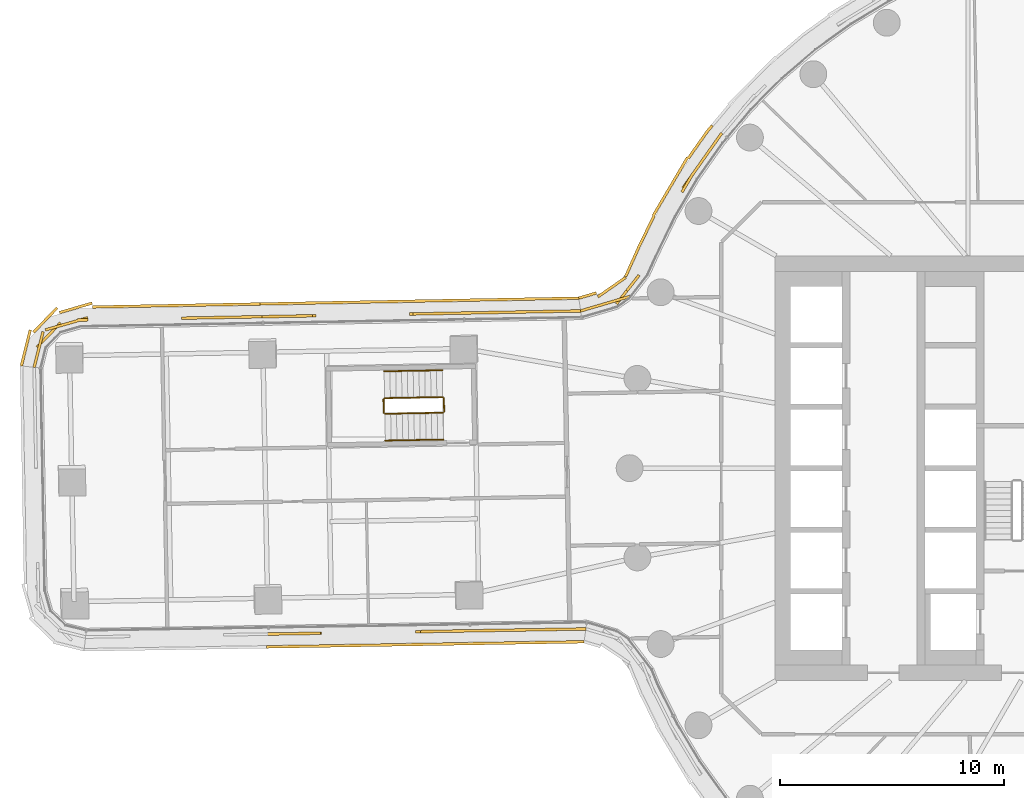
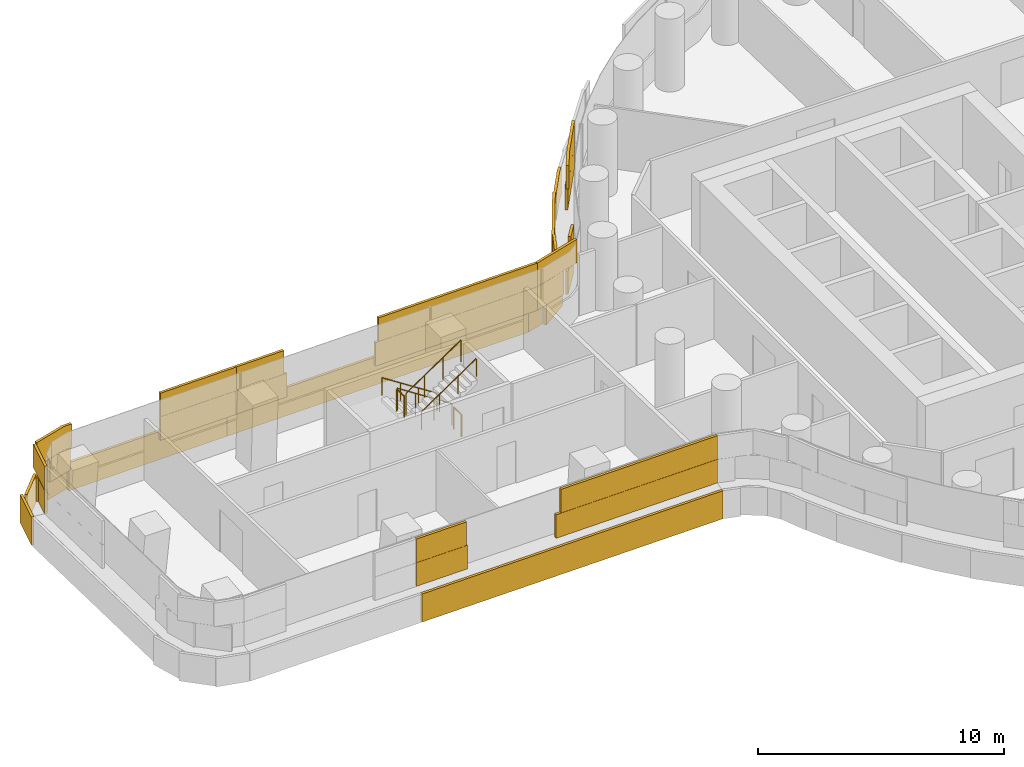
# One storey, part 27 of 31: 6 railings, 4 coverings.
"""IFC4 building model written with IfcOpenShell, lengths in metres."""

from ifc_helpers import new_model, si_unit, direction, frame, origin, origin_2d, place, context, subcontext, project, spatial, rectangle, circle, extrude, material, layer, layer_set, type_object, element, save


model = new_model("IFC4")

# Units and contexts
model_context = context("Model", 3, precision=1e-05, world=origin(), true_north=direction((0.0, 1.0)))
body_context = subcontext(model_context, "Body", "Model", "MODEL_VIEW")
ifc_project = project(units=[si_unit("LENGTHUNIT", "METRE"), si_unit("AREAUNIT", "SQUARE_METRE"), si_unit("VOLUMEUNIT", "CUBIC_METRE"), si_unit("PLANEANGLEUNIT", "RADIAN"), si_unit("MASSUNIT", "GRAM", prefix="KILO")], contexts=[model_context])

# Site, building, storey
site_placement = place(None, origin())
site = spatial("IfcSite", under=ifc_project, at=site_placement, CompositionType="ELEMENT")
building_placement = place(site_placement, origin())
building = spatial("IfcBuilding", under=site, at=building_placement, Name="Tamarind Cross Interchange Tower", CompositionType="ELEMENT")
storey_placement = place(building_placement, frame((0.0, 0.0, 37.75)))
storey = spatial("IfcBuildingStorey", under=building, at=storey_placement, Name="L07", CompositionType="ELEMENT", Elevation=37.75)

# Railings
ifc_material_1 = material(Name="Stair guard")
railing_type_1 = type_object("IfcRailingType", Name="Stair guard", PredefinedType="GUARDRAIL", material=ifc_material_1)
railing_1_placement = place(storey_placement, frame((-31.359619140625, 3.179931640625, 0.17041015625)))
element("IfcRailing", 1, at=railing_1_placement, inside=storey, type_object=railing_type_1, Name="L07 ST5 stair guard 1", PredefinedType="GUARDRAIL", context=body_context, shape_type="SweptSolid", body=[
    extrude(circle(Radius=0.02392578125, at=origin_2d()), frame((0.0, 0.0, 1.076171875), z_axis=(-0.836134321691, -0.015235283029, 0.548313124265), x_axis=(0.01821807112, -0.999834037171, 0.0)), (0.0, 0.0, 1.0), 3.10888671875),
    extrude(circle(Radius=0.02099609375, at=origin_2d()), origin(), (0.0, 0.0, 1.0), 1.052001953125),
    extrude(circle(Radius=0.02099609375, at=origin_2d()), frame((-0.866455078125, -0.015869140625, 0.568115234375)), (0.0, 0.0, 1.0), 1.052001953125),
    extrude(circle(Radius=0.02099609375, at=origin_2d()), frame((-1.73291015625, -0.031494140625, 1.136474609375)), (0.0, 0.0, 1.0), 1.052001953125),
    extrude(circle(Radius=0.02099609375, at=origin_2d()), frame((-2.599365234375, -0.04736328125, 1.70458984375)), (0.0, 0.0, 1.0), 1.052001953125),
])
railing_2_placement = place(storey_placement, frame((-34.00830078125, 3.08154296875, 1.875)))
element("IfcRailing", 2, at=railing_2_placement, inside=storey, type_object=railing_type_1, Name="L07 ST5 stair guard 2", PredefinedType="GUARDRAIL", context=body_context, shape_type="SweptSolid", body=[
    extrude(circle(Radius=0.02392578125, at=origin_2d()), frame((0.0, 0.0, 1.076171875), z_axis=(0.018311947294, -0.999832322235, 0.0), x_axis=(0.999832322235, 0.018311947294, 0.0)), (0.0, 0.0, 1.0), 0.599853515625),
    extrude(circle(Radius=0.02099609375, at=origin_2d()), origin(), (0.0, 0.0, 1.0), 1.052001953125),
    extrude(circle(Radius=0.02099609375, at=origin_2d()), frame((0.010986328125, -0.599853515625, 0.0)), (0.0, 0.0, 1.0), 1.052001953125),
])
railing_3_placement = place(storey_placement, frame((-33.9462890625, 2.4326171875, 2.04541015625)))
element("IfcRailing", 3, at=railing_3_placement, inside=storey, type_object=railing_type_1, Name="L07 ST5 stair guard 3", PredefinedType="GUARDRAIL", context=body_context, shape_type="SweptSolid", body=[
    extrude(circle(Radius=0.02392578125, at=origin_2d()), frame((0.0, 0.0, 1.076171875), z_axis=(0.836157948141, 0.015234282677, 0.548277121893), x_axis=(-0.018216360749, 0.999834068334, 0.0)), (0.0, 0.0, 1.0), 3.10888671875),
    extrude(circle(Radius=0.02099609375, at=origin_2d()), origin(), (0.0, 0.0, 1.0), 1.052001953125),
    extrude(circle(Radius=0.02099609375, at=origin_2d()), frame((0.866455078125, 0.015869140625, 0.568115234375)), (0.0, 0.0, 1.0), 1.052001953125),
    extrude(circle(Radius=0.02099609375, at=origin_2d()), frame((1.733154296875, 0.031494140625, 1.136474609375)), (0.0, 0.0, 1.0), 1.052001953125),
    extrude(circle(Radius=0.02099609375, at=origin_2d()), frame((2.599609375, 0.04736328125, 1.70458984375)), (0.0, 0.0, 1.0), 1.052001953125),
])
railing_4_placement = place(storey_placement, frame((-31.30859375, 3.130859375, 0.0)))
element("IfcRailing", 4, at=railing_4_placement, inside=storey, type_object=railing_type_1, Name="L07 ST5 stair guard 4", PredefinedType="GUARDRAIL", context=body_context, shape_type="SweptSolid", body=[
    extrude(circle(Radius=0.02392578125, at=origin_2d()), frame((0.0, 0.0, 1.076171875), z_axis=(0.018311947294, -0.999832322235, 0.0), x_axis=(0.999832322235, 0.018311947294, 0.0)), (0.0, 0.0, 1.0), 0.599853515625),
    extrude(circle(Radius=0.02099609375, at=origin_2d()), origin(), (0.0, 0.0, 1.0), 1.052001953125),
    extrude(circle(Radius=0.02099609375, at=origin_2d()), frame((0.010986328125, -0.599853515625, 0.0)), (0.0, 0.0, 1.0), 1.052001953125),
])
ifc_material_2 = material(Name="Stair handrail")
railing_type_2 = type_object("IfcRailingType", Name="Stair handrail", PredefinedType="HANDRAIL", material=ifc_material_2)
railing_5_placement = place(storey_placement, frame((-31.38134765625, 4.379638671875, 0.17041015625)))
element("IfcRailing", 5, at=railing_5_placement, inside=storey, type_object=railing_type_2, Name="L07 ST5 stair handrail 1", PredefinedType="HANDRAIL", context=body_context, shape_type="SweptSolid", body=[
    extrude(circle(Radius=0.02392578125, at=origin_2d()), frame((0.0, 0.0, 0.8759765625), z_axis=(-0.836157948141, -0.015234282677, 0.548277121893), x_axis=(0.018216360749, -0.999834068334, 0.0)), (0.0, 0.0, 1.0), 3.10888671875),
    extrude(circle(Radius=0.02099609375, at=origin_2d()), origin(), (0.0, 0.0, 1.0), 0.851806640625),
    extrude(circle(Radius=0.02099609375, at=origin_2d()), frame((-0.866455078125, -0.015869140625, 0.568115234375)), (0.0, 0.0, 1.0), 0.851806640625),
    extrude(circle(Radius=0.02099609375, at=origin_2d()), frame((-1.733154296875, -0.031494140625, 1.136474609375)), (0.0, 0.0, 1.0), 0.851806640625),
    extrude(circle(Radius=0.02099609375, at=origin_2d()), frame((-2.599609375, -0.04736328125, 1.70458984375)), (0.0, 0.0, 1.0), 0.851806640625),
])
railing_6_placement = place(storey_placement, frame((-33.924560546875, 1.232666015625, 2.04541015625)))
element("IfcRailing", 6, at=railing_6_placement, inside=storey, type_object=railing_type_2, Name="L07 ST5 stair handrail 2", PredefinedType="HANDRAIL", context=body_context, shape_type="SweptSolid", body=[
    extrude(circle(Radius=0.02392578125, at=origin_2d()), frame((0.0, 0.0, 0.8759765625), z_axis=(0.836156945264, 0.015312791541, 0.548276464297), x_axis=(-0.018310228116, 0.999832353721, 0.0)), (0.0, 0.0, 1.0), 3.10888671875),
    extrude(circle(Radius=0.02099609375, at=origin_2d()), origin(), (0.0, 0.0, 1.0), 0.851806640625),
    extrude(circle(Radius=0.02099609375, at=origin_2d()), frame((0.866455078125, 0.015869140625, 0.568115234375)), (0.0, 0.0, 1.0), 0.851806640625),
    extrude(circle(Radius=0.02099609375, at=origin_2d()), frame((1.733154296875, 0.03173828125, 1.136474609375)), (0.0, 0.0, 1.0), 0.851806640625),
    extrude(circle(Radius=0.02099609375, at=origin_2d()), frame((2.599609375, 0.047607421875, 1.70458984375)), (0.0, 0.0, 1.0), 0.851806640625),
])

# Coverings
ifc_material_3 = material(Name="Terracotta", Category="masonry")
ifc_layer = layer(ifc_material_3, 0.1201171875)
ifc_layer_set = layer_set([ifc_layer], Name="Terracotta")
covering_type = type_object("IfcCoveringType", Name="Terracotta baguette screen unit", PredefinedType="MOLDING", material=ifc_layer_set)
covering_1_placement = place(storey_placement, origin())
element("IfcCovering", 7, at=covering_1_placement, inside=storey, type_object=covering_type, Name="SCR-L07-02-01", PredefinedType="MOLDING", context=body_context, shape_type="SweptSolid", body=[
    extrude(rectangle(XDim=1.50341796875, YDim=0.1201171875, at=origin_2d()), frame((-19.311279296875, 14.371826171875, 1.404052734375), z_axis=(0.0, 0.0, 1.0), x_axis=(-0.577568978284, -0.816341886298, 0.0)), (0.0, 0.0, 1.0), 1.1669921875),
    extrude(rectangle(XDim=1.52001953125, YDim=0.1201171875, at=origin_2d()), frame((-20.17578125, 13.150146484375, 1.404052734375), z_axis=(0.0, 0.0, 1.0), x_axis=(-0.577568978284, -0.816341886298, 0.0)), (0.0, 0.0, 1.0), 1.1669921875),
    extrude(rectangle(XDim=1.52001953125, YDim=0.1201171875, at=origin_2d()), frame((-23.116943359375, 7.944580078125, 1.404052734375), z_axis=(0.0, 0.0, 1.0), x_axis=(-0.618760035148, -0.785580052511, 0.0)), (0.0, 0.0, 1.0), 1.1669921875),
    extrude(rectangle(XDim=1.52001953125, YDim=0.1201171875, at=origin_2d()), frame((-24.4111328125, 7.261474609375, 1.404052734375), z_axis=(0.0, 0.0, 1.0), x_axis=(-0.959289917057, -0.282423184305, 0.0)), (0.0, 0.0, 1.0), 1.1669921875),
    extrude(rectangle(XDim=0.068603515625, YDim=0.1201171875, at=origin_2d()), frame((-25.15869140625, 7.041259765625, 1.404052734375), z_axis=(0.0, 0.0, 1.0), x_axis=(-0.959289917057, -0.282423184305, 0.0)), (0.0, 0.0, 1.0), 1.1669921875),
    extrude(rectangle(XDim=0.75341796875, YDim=0.1201171875, at=origin_2d()), frame((-19.0947265625, 14.677978515625, 2.5791015625), z_axis=(0.0, 0.0, 1.0), x_axis=(-0.577568978284, -0.816341886298, 0.0)), (0.0, 0.0, 1.0), 1.1669921875),
    extrude(rectangle(XDim=1.52001953125, YDim=0.1201171875, at=origin_2d()), frame((-19.74267578125, 13.76220703125, 2.5791015625), z_axis=(0.0, 0.0, 1.0), x_axis=(-0.577568978284, -0.816341886298, 0.0)), (0.0, 0.0, 1.0), 1.1669921875),
    extrude(rectangle(XDim=0.942626953125, YDim=0.1201171875, at=origin_2d()), frame((-20.418212890625, 12.751953125, 2.5791015625), z_axis=(0.0, 0.0, 1.0), x_axis=(-0.508183308752, -0.861248933065, 0.0)), (0.0, 0.0, 1.0), 1.1669921875),
    extrude(rectangle(XDim=0.87744140625, YDim=0.1201171875, at=origin_2d()), frame((-22.848388671875, 8.28515625, 2.5791015625), z_axis=(0.0, 0.0, 1.0), x_axis=(-0.618760035148, -0.785580052511, 0.0)), (0.0, 0.0, 1.0), 1.1669921875),
    extrude(rectangle(XDim=1.52001953125, YDim=0.1201171875, at=origin_2d()), frame((-23.691650390625, 7.473388671875, 2.5791015625), z_axis=(0.0, 0.0, 1.0), x_axis=(-0.959289917057, -0.282423184305, 0.0)), (0.0, 0.0, 1.0), 1.1669921875),
    extrude(rectangle(XDim=0.818603515625, YDim=0.1201171875, at=origin_2d()), frame((-24.798828125, 7.147216796875, 2.5791015625), z_axis=(0.0, 0.0, 1.0), x_axis=(-0.959289917057, -0.282423184305, 0.0)), (0.0, 0.0, 1.0), 1.1669921875),
    extrude(rectangle(XDim=0.315673828125, YDim=0.1201171875, at=origin_2d()), frame((-19.40966796875, 15.200927734375, 0.00390625), z_axis=(0.0, 0.0, 1.0), x_axis=(-0.643009266048, -0.765858396687, 0.0)), (0.0, 0.0, 1.0), 1.39208984375),
    extrude(rectangle(XDim=1.52001953125, YDim=0.1201171875, at=origin_2d()), frame((-19.940185546875, 14.47705078125, 0.00390625), z_axis=(0.0, 0.0, 1.0), x_axis=(-0.577568978284, -0.816341886298, 0.0)), (0.0, 0.0, 1.0), 1.39208984375),
    extrude(rectangle(XDim=1.52001953125, YDim=0.1201171875, at=origin_2d()), frame((-20.7939453125, 13.24462890625, 0.00390625), z_axis=(0.0, 0.0, 1.0), x_axis=(-0.508183308752, -0.861248933065, 0.0)), (0.0, 0.0, 1.0), 1.39208984375),
    extrude(rectangle(XDim=1.52001953125, YDim=0.1201171875, at=origin_2d()), frame((-21.556396484375, 11.95263671875, 0.00390625), z_axis=(0.0, 0.0, 1.0), x_axis=(-0.508183308752, -0.861248933065, 0.0)), (0.0, 0.0, 1.0), 1.39208984375),
    extrude(rectangle(XDim=1.52001953125, YDim=0.1201171875, at=origin_2d()), frame((-22.2353515625, 10.6162109375, 0.00390625), z_axis=(0.0, 0.0, 1.0), x_axis=(-0.435326231914, -0.900272776334, 0.0)), (0.0, 0.0, 1.0), 1.39208984375),
    extrude(rectangle(XDim=1.52001953125, YDim=0.1201171875, at=origin_2d()), frame((-22.871826171875, 9.258056640625, 0.00390625), z_axis=(0.0, 0.0, 1.0), x_axis=(-0.408465736607, -0.912773653223, 0.0)), (0.0, 0.0, 1.0), 1.39208984375),
    extrude(rectangle(XDim=1.52001953125, YDim=0.1201171875, at=origin_2d()), frame((-23.798583984375, 8.096435546875, 0.00390625), z_axis=(0.0, 0.0, 1.0), x_axis=(-0.820506162857, -0.571637679579, 0.0)), (0.0, 0.0, 1.0), 1.39208984375),
    extrude(rectangle(XDim=0.823486328125, YDim=0.1201171875, at=origin_2d()), frame((-24.879638671875, 7.721923828125, 0.00390625), z_axis=(0.0, 0.0, 1.0), x_axis=(-0.959289917057, -0.282423184305, 0.0)), (0.0, 0.0, 1.0), 1.39208984375),
])
covering_2_placement = place(storey_placement, origin())
element("IfcCovering", 8, at=covering_2_placement, inside=storey, type_object=covering_type, Name="SCR-L07-03-00", PredefinedType="MOLDING", context=body_context, shape_type="SweptSolid", body=[
    extrude(rectangle(XDim=0.760009765625, YDim=0.1201171875, at=origin_2d()), frame((-25.561767578125, 7.026123046875, 1.404052734375), z_axis=(0.0, 0.0, 1.0), x_axis=(-0.999833743347, -0.018234189439, 0.0)), (0.0, 0.0, 1.0), 1.1669921875),
    extrude(rectangle(XDim=1.52001953125, YDim=0.1201171875, at=origin_2d()), frame((-26.6865234375, 7.005615234375, 1.404052734375), z_axis=(0.0, 0.0, 1.0), x_axis=(-0.999833743347, -0.018234189439, 0.0)), (0.0, 0.0, 1.0), 1.1669921875),
    extrude(rectangle(XDim=1.52001953125, YDim=0.1201171875, at=origin_2d()), frame((-28.186279296875, 6.978271484375, 1.404052734375), z_axis=(0.0, 0.0, 1.0), x_axis=(-0.999833743347, -0.018234189439, 0.0)), (0.0, 0.0, 1.0), 1.1669921875),
    extrude(rectangle(XDim=1.52001953125, YDim=0.1201171875, at=origin_2d()), frame((-29.68603515625, 6.950927734375, 1.404052734375), z_axis=(0.0, 0.0, 1.0), x_axis=(-0.999833743347, -0.018234189439, 0.0)), (0.0, 0.0, 1.0), 1.1669921875),
    extrude(rectangle(XDim=1.52001953125, YDim=0.1201171875, at=origin_2d()), frame((-31.185791015625, 6.923583984375, 1.404052734375), z_axis=(0.0, 0.0, 1.0), x_axis=(-0.999833743347, -0.018234189439, 0.0)), (0.0, 0.0, 1.0), 1.1669921875),
    extrude(rectangle(XDim=0.9140625, YDim=0.1201171875, at=origin_2d()), frame((-32.3876953125, 6.90185546875, 1.404052734375), z_axis=(0.0, 0.0, 1.0), x_axis=(-0.999833743347, -0.018234189439, 0.0)), (0.0, 0.0, 1.0), 1.1669921875),
    extrude(rectangle(XDim=0.906005859375, YDim=0.1201171875, at=origin_2d()), frame((-37.48681640625, 6.808837890625, 1.404052734375), z_axis=(0.0, 0.0, 1.0), x_axis=(-0.999833743347, -0.018234189439, 0.0)), (0.0, 0.0, 1.0), 1.1669921875),
    extrude(rectangle(XDim=1.52001953125, YDim=0.1201171875, at=origin_2d()), frame((-38.6845703125, 6.786865234375, 1.404052734375), z_axis=(0.0, 0.0, 1.0), x_axis=(-0.999833743347, -0.018234189439, 0.0)), (0.0, 0.0, 1.0), 1.1669921875),
    extrude(rectangle(XDim=1.510009765625, YDim=0.1201171875, at=origin_2d()), frame((-25.936767578125, 7.019287109375, 2.5791015625), z_axis=(0.0, 0.0, 1.0), x_axis=(-0.999833743347, -0.018234189439, 0.0)), (0.0, 0.0, 1.0), 1.1669921875),
    extrude(rectangle(XDim=1.52001953125, YDim=0.1201171875, at=origin_2d()), frame((-27.4365234375, 6.991943359375, 2.5791015625), z_axis=(0.0, 0.0, 1.0), x_axis=(-0.999833743347, -0.018234189439, 0.0)), (0.0, 0.0, 1.0), 1.1669921875),
    extrude(rectangle(XDim=1.52001953125, YDim=0.1201171875, at=origin_2d()), frame((-28.936279296875, 6.964599609375, 2.5791015625), z_axis=(0.0, 0.0, 1.0), x_axis=(-0.999833743347, -0.018234189439, 0.0)), (0.0, 0.0, 1.0), 1.1669921875),
    extrude(rectangle(XDim=1.52001953125, YDim=0.1201171875, at=origin_2d()), frame((-30.43603515625, 6.937255859375, 2.5791015625), z_axis=(0.0, 0.0, 1.0), x_axis=(-0.999833743347, -0.018234189439, 0.0)), (0.0, 0.0, 1.0), 1.1669921875),
    extrude(rectangle(XDim=1.52001953125, YDim=0.1201171875, at=origin_2d()), frame((-31.935791015625, 6.909912109375, 2.5791015625), z_axis=(0.0, 0.0, 1.0), x_axis=(-0.999833743347, -0.018234189439, 0.0)), (0.0, 0.0, 1.0), 1.1669921875),
    extrude(rectangle(XDim=1.52001953125, YDim=0.1201171875, at=origin_2d()), frame((-37.9345703125, 6.800537109375, 2.5791015625), z_axis=(0.0, 0.0, 1.0), x_axis=(-0.999833743347, -0.018234189439, 0.0)), (0.0, 0.0, 1.0), 1.1669921875),
    extrude(rectangle(XDim=0.763916015625, YDim=0.1201171875, at=origin_2d()), frame((-39.0615234375, 6.780029296875, 2.5791015625), z_axis=(0.0, 0.0, 1.0), x_axis=(-0.999833743347, -0.018234189439, 0.0)), (0.0, 0.0, 1.0), 1.1669921875),
    extrude(rectangle(XDim=0.760009765625, YDim=0.1201171875, at=origin_2d()), frame((-25.654541015625, 7.5986328125, 0.00390625), z_axis=(0.0, 0.0, 1.0), x_axis=(-0.999833743347, -0.018234189439, 0.0)), (0.0, 0.0, 1.0), 1.39208984375),
    extrude(rectangle(XDim=1.52001953125, YDim=0.1201171875, at=origin_2d()), frame((-26.7744140625, 7.578125, 0.00390625), z_axis=(0.0, 0.0, 1.0), x_axis=(-0.999833743347, -0.018234189439, 0.0)), (0.0, 0.0, 1.0), 1.39208984375),
    extrude(rectangle(XDim=1.52001953125, YDim=0.1201171875, at=origin_2d()), frame((-28.274169921875, 7.55078125, 0.00390625), z_axis=(0.0, 0.0, 1.0), x_axis=(-0.999833743347, -0.018234189439, 0.0)), (0.0, 0.0, 1.0), 1.39208984375),
    extrude(rectangle(XDim=1.52001953125, YDim=0.1201171875, at=origin_2d()), frame((-29.77392578125, 7.5234375, 0.00390625), z_axis=(0.0, 0.0, 1.0), x_axis=(-0.999833743347, -0.018234189439, 0.0)), (0.0, 0.0, 1.0), 1.39208984375),
    extrude(rectangle(XDim=1.52001953125, YDim=0.1201171875, at=origin_2d()), frame((-31.273681640625, 7.49609375, 0.00390625), z_axis=(0.0, 0.0, 1.0), x_axis=(-0.999833743347, -0.018234189439, 0.0)), (0.0, 0.0, 1.0), 1.39208984375),
    extrude(rectangle(XDim=1.52001953125, YDim=0.1201171875, at=origin_2d()), frame((-32.7734375, 7.46875, 0.00390625), z_axis=(0.0, 0.0, 1.0), x_axis=(-0.999833743347, -0.018234189439, 0.0)), (0.0, 0.0, 1.0), 1.39208984375),
    extrude(rectangle(XDim=1.52001953125, YDim=0.1201171875, at=origin_2d()), frame((-34.273193359375, 7.44140625, 0.00390625), z_axis=(0.0, 0.0, 1.0), x_axis=(-0.999833743347, -0.018234189439, 0.0)), (0.0, 0.0, 1.0), 1.39208984375),
    extrude(rectangle(XDim=1.52001953125, YDim=0.1201171875, at=origin_2d()), frame((-35.77294921875, 7.4140625, 0.00390625), z_axis=(0.0, 0.0, 1.0), x_axis=(-0.999833743347, -0.018234189439, 0.0)), (0.0, 0.0, 1.0), 1.39208984375),
    extrude(rectangle(XDim=1.52001953125, YDim=0.1201171875, at=origin_2d()), frame((-37.272705078125, 7.38671875, 0.00390625), z_axis=(0.0, 0.0, 1.0), x_axis=(-0.999833743347, -0.018234189439, 0.0)), (0.0, 0.0, 1.0), 1.39208984375),
    extrude(rectangle(XDim=1.52001953125, YDim=0.1201171875, at=origin_2d()), frame((-38.7724609375, 7.359375, 0.00390625), z_axis=(0.0, 0.0, 1.0), x_axis=(-0.999833743347, -0.018234189439, 0.0)), (0.0, 0.0, 1.0), 1.39208984375),
])
covering_3_placement = place(storey_placement, origin())
element("IfcCovering", 9, at=covering_3_placement, inside=storey, type_object=covering_type, Name="SCR-L07-03-01", PredefinedType="MOLDING", context=body_context, shape_type="SweptSolid", body=[
    extrude(rectangle(XDim=1.506103515625, YDim=0.1201171875, at=origin_2d()), frame((-40.186279296875, 6.759521484375, 1.404052734375), z_axis=(0.0, 0.0, 1.0), x_axis=(-0.999833743347, -0.018234189439, 0.0)), (0.0, 0.0, 1.0), 1.1669921875),
    extrude(rectangle(XDim=1.52001953125, YDim=0.1201171875, at=origin_2d()), frame((-41.68408203125, 6.732177734375, 1.404052734375), z_axis=(0.0, 0.0, 1.0), x_axis=(-0.999833743347, -0.018234189439, 0.0)), (0.0, 0.0, 1.0), 1.1669921875),
    extrude(rectangle(XDim=0.603271484375, YDim=0.1201171875, at=origin_2d()), frame((-42.73046875, 6.713134765625, 1.404052734375), z_axis=(0.0, 0.0, 1.0), x_axis=(-0.999833743347, -0.018234189439, 0.0)), (0.0, 0.0, 1.0), 1.1669921875),
    extrude(rectangle(XDim=1.216796875, YDim=0.1201171875, at=origin_2d()), frame((-47.8203125, 6.55810546875, 1.404052734375), z_axis=(0.0, 0.0, 1.0), x_axis=(-0.961045879195, -0.276388889215, 0.0)), (0.0, 0.0, 1.0), 1.1669921875),
    extrude(rectangle(XDim=1.52001953125, YDim=0.1201171875, at=origin_2d()), frame((-48.981689453125, 5.95263671875, 1.404052734375), z_axis=(0.0, 0.0, 1.0), x_axis=(-0.694095700978, -0.719882738982, 0.0)), (0.0, 0.0, 1.0), 1.1669921875),
    extrude(rectangle(XDim=0.892578125, YDim=0.1201171875, at=origin_2d()), frame((-49.523193359375, 4.93701171875, 1.404052734375), z_axis=(0.0, 0.0, 1.0), x_axis=(-0.241163140214, -0.970484590193, 0.0)), (0.0, 0.0, 1.0), 1.1669921875),
    extrude(rectangle(XDim=0.756103515625, YDim=0.1201171875, at=origin_2d()), frame((-39.811279296875, 6.766357421875, 2.5791015625), z_axis=(0.0, 0.0, 1.0), x_axis=(-0.999833743347, -0.018234189439, 0.0)), (0.0, 0.0, 1.0), 1.1669921875),
    extrude(rectangle(XDim=1.52001953125, YDim=0.1201171875, at=origin_2d()), frame((-40.93408203125, 6.745849609375, 2.5791015625), z_axis=(0.0, 0.0, 1.0), x_axis=(-0.999833743347, -0.018234189439, 0.0)), (0.0, 0.0, 1.0), 1.1669921875),
    extrude(rectangle(XDim=1.353271484375, YDim=0.1201171875, at=origin_2d()), frame((-42.355712890625, 6.719970703125, 2.5791015625), z_axis=(0.0, 0.0, 1.0), x_axis=(-0.999833743347, -0.018234189439, 0.0)), (0.0, 0.0, 1.0), 1.1669921875),
    extrude(rectangle(XDim=0.466796875, YDim=0.1201171875, at=origin_2d()), frame((-47.454833984375, 6.626953125, 2.5791015625), z_axis=(0.0, 0.0, 1.0), x_axis=(-0.999833743347, -0.018234189439, 0.0)), (0.0, 0.0, 1.0), 1.1669921875),
    extrude(rectangle(XDim=1.52001953125, YDim=0.1201171875, at=origin_2d()), frame((-48.400146484375, 6.391357421875, 2.5791015625), z_axis=(0.0, 0.0, 1.0), x_axis=(-0.961045879195, -0.276388889215, 0.0)), (0.0, 0.0, 1.0), 1.1669921875),
    extrude(rectangle(XDim=1.52001953125, YDim=0.1201171875, at=origin_2d()), frame((-49.416748046875, 5.365478515625, 2.5791015625), z_axis=(0.0, 0.0, 1.0), x_axis=(-0.241163140214, -0.970484590193, 0.0)), (0.0, 0.0, 1.0), 1.1669921875),
    extrude(rectangle(XDim=0.142578125, YDim=0.1201171875, at=origin_2d()), frame((-49.61376953125, 4.5732421875, 2.5791015625), z_axis=(0.0, 0.0, 1.0), x_axis=(-0.241163140214, -0.970484590193, 0.0)), (0.0, 0.0, 1.0), 1.1669921875),
    extrude(rectangle(XDim=1.50732421875, YDim=0.1201171875, at=origin_2d()), frame((-40.278564453125, 7.33203125, 0.00390625), z_axis=(0.0, 0.0, 1.0), x_axis=(-0.999833743347, -0.018234189439, 0.0)), (0.0, 0.0, 1.0), 1.39208984375),
    extrude(rectangle(XDim=1.52001953125, YDim=0.1201171875, at=origin_2d()), frame((-41.77197265625, 7.3046875, 0.00390625), z_axis=(0.0, 0.0, 1.0), x_axis=(-0.999833743347, -0.018234189439, 0.0)), (0.0, 0.0, 1.0), 1.39208984375),
    extrude(rectangle(XDim=1.52001953125, YDim=0.1201171875, at=origin_2d()), frame((-43.271728515625, 7.27734375, 0.00390625), z_axis=(0.0, 0.0, 1.0), x_axis=(-0.999833743347, -0.018234189439, 0.0)), (0.0, 0.0, 1.0), 1.39208984375),
    extrude(rectangle(XDim=1.52001953125, YDim=0.1201171875, at=origin_2d()), frame((-44.771484375, 7.25, 0.00390625), z_axis=(0.0, 0.0, 1.0), x_axis=(-0.999833743347, -0.018234189439, 0.0)), (0.0, 0.0, 1.0), 1.39208984375),
    extrude(rectangle(XDim=1.52001953125, YDim=0.1201171875, at=origin_2d()), frame((-46.271240234375, 7.22265625, 0.00390625), z_axis=(0.0, 0.0, 1.0), x_axis=(-0.999833743347, -0.018234189439, 0.0)), (0.0, 0.0, 1.0), 1.39208984375),
    extrude(rectangle(XDim=1.52001953125, YDim=0.1201171875, at=origin_2d()), frame((-47.767333984375, 7.170654296875, 0.00390625), z_axis=(0.0, 0.0, 1.0), x_axis=(-0.961045879195, -0.276388889215, 0.0)), (0.0, 0.0, 1.0), 1.39208984375),
    extrude(rectangle(XDim=1.52001953125, YDim=0.1201171875, at=origin_2d()), frame((-49.130126953125, 6.62548828125, 0.00390625), z_axis=(0.0, 0.0, 1.0), x_axis=(-0.694095700978, -0.719882738982, 0.0)), (0.0, 0.0, 1.0), 1.39208984375),
    extrude(rectangle(XDim=1.52001953125, YDim=0.1201171875, at=origin_2d()), frame((-49.988525390625, 5.444580078125, 0.00390625), z_axis=(0.0, 0.0, 1.0), x_axis=(-0.241163140214, -0.970484590193, 0.0)), (0.0, 0.0, 1.0), 1.39208984375),
    extrude(rectangle(XDim=0.1572265625, YDim=0.1201171875, at=origin_2d()), frame((-50.18603515625, 4.650146484375, 0.00390625), z_axis=(0.0, 0.0, 1.0), x_axis=(-0.241163140214, -0.970484590193, 0.0)), (0.0, 0.0, 1.0), 1.39208984375),
])
covering_4_placement = place(storey_placement, origin())
element("IfcCovering", 10, at=covering_4_placement, inside=storey, type_object=covering_type, Name="SCR-L07-05-01", PredefinedType="MOLDING", context=body_context, shape_type="SweptSolid", body=[
    extrude(rectangle(XDim=0.10791015625, YDim=0.1201171875, at=origin_2d()), frame((-39.13134765625, -7.42041015625, 1.404052734375), z_axis=(0.0, 0.0, 1.0), x_axis=(0.999868866543, 0.016194126045, 0.0)), (0.0, 0.0, 1.0), 1.1669921875),
    extrude(rectangle(XDim=1.52001953125, YDim=0.1201171875, at=origin_2d()), frame((-38.33251953125, -7.407470703125, 1.404052734375), z_axis=(0.0, 0.0, 1.0), x_axis=(0.999868866543, 0.016194126045, 0.0)), (0.0, 0.0, 1.0), 1.1669921875),
    extrude(rectangle(XDim=0.811767578125, YDim=0.1201171875, at=origin_2d()), frame((-37.181640625, -7.388671875, 1.404052734375), z_axis=(0.0, 0.0, 1.0), x_axis=(0.999868866543, 0.016194126045, 0.0)), (0.0, 0.0, 1.0), 1.1669921875),
    extrude(rectangle(XDim=1.00830078125, YDim=0.1201171875, at=origin_2d()), frame((-32.08251953125, -7.30615234375, 1.404052734375), z_axis=(0.0, 0.0, 1.0), x_axis=(0.999868866543, 0.016194126045, 0.0)), (0.0, 0.0, 1.0), 1.1669921875),
    extrude(rectangle(XDim=1.52001953125, YDim=0.1201171875, at=origin_2d()), frame((-30.83349609375, -7.285888671875, 1.404052734375), z_axis=(0.0, 0.0, 1.0), x_axis=(0.999868866543, 0.016194126045, 0.0)), (0.0, 0.0, 1.0), 1.1669921875),
    extrude(rectangle(XDim=1.52001953125, YDim=0.1201171875, at=origin_2d()), frame((-29.333740234375, -7.26171875, 1.404052734375), z_axis=(0.0, 0.0, 1.0), x_axis=(0.999868866543, 0.016194126045, 0.0)), (0.0, 0.0, 1.0), 1.1669921875),
    extrude(rectangle(XDim=1.52001953125, YDim=0.1201171875, at=origin_2d()), frame((-27.833740234375, -7.2373046875, 1.404052734375), z_axis=(0.0, 0.0, 1.0), x_axis=(0.999868866543, 0.016194126045, 0.0)), (0.0, 0.0, 1.0), 1.1669921875),
    extrude(rectangle(XDim=1.52001953125, YDim=0.1201171875, at=origin_2d()), frame((-26.333984375, -7.213134765625, 1.404052734375), z_axis=(0.0, 0.0, 1.0), x_axis=(0.999868866543, 0.016194126045, 0.0)), (0.0, 0.0, 1.0), 1.1669921875),
    extrude(rectangle(XDim=0.63720703125, YDim=0.1201171875, at=origin_2d()), frame((-25.2705078125, -7.19580078125, 1.404052734375), z_axis=(0.0, 0.0, 1.0), x_axis=(0.999868866543, 0.016194126045, 0.0)), (0.0, 0.0, 1.0), 1.1669921875),
    extrude(rectangle(XDim=0.85791015625, YDim=0.1201171875, at=origin_2d()), frame((-38.75634765625, -7.414306640625, 2.5791015625), z_axis=(0.0, 0.0, 1.0), x_axis=(0.999868866543, 0.016194126045, 0.0)), (0.0, 0.0, 1.0), 1.1669921875),
    extrude(rectangle(XDim=1.52001953125, YDim=0.1201171875, at=origin_2d()), frame((-37.58251953125, -7.395263671875, 2.5791015625), z_axis=(0.0, 0.0, 1.0), x_axis=(0.999868866543, 0.016194126045, 0.0)), (0.0, 0.0, 1.0), 1.1669921875),
    extrude(rectangle(XDim=1.52001953125, YDim=0.1201171875, at=origin_2d()), frame((-31.583251953125, -7.298095703125, 2.5791015625), z_axis=(0.0, 0.0, 1.0), x_axis=(0.999868866543, 0.016194126045, 0.0)), (0.0, 0.0, 1.0), 1.1669921875),
    extrude(rectangle(XDim=1.52001953125, YDim=0.1201171875, at=origin_2d()), frame((-30.08349609375, -7.273681640625, 2.5791015625), z_axis=(0.0, 0.0, 1.0), x_axis=(0.999868866543, 0.016194126045, 0.0)), (0.0, 0.0, 1.0), 1.1669921875),
    extrude(rectangle(XDim=1.52001953125, YDim=0.1201171875, at=origin_2d()), frame((-28.583740234375, -7.24951171875, 2.5791015625), z_axis=(0.0, 0.0, 1.0), x_axis=(0.999868866543, 0.016194126045, 0.0)), (0.0, 0.0, 1.0), 1.1669921875),
    extrude(rectangle(XDim=1.52001953125, YDim=0.1201171875, at=origin_2d()), frame((-27.083984375, -7.22509765625, 2.5791015625), z_axis=(0.0, 0.0, 1.0), x_axis=(0.999868866543, 0.016194126045, 0.0)), (0.0, 0.0, 1.0), 1.1669921875),
    extrude(rectangle(XDim=1.38720703125, YDim=0.1201171875, at=origin_2d()), frame((-25.6455078125, -7.201904296875, 2.5791015625), z_axis=(0.0, 0.0, 1.0), x_axis=(0.999868866543, 0.016194126045, 0.0)), (0.0, 0.0, 1.0), 1.1669921875),
    extrude(rectangle(XDim=0.112548828125, YDim=0.1201171875, at=origin_2d()), frame((-39.1943359375, -7.995361328125, 0.00390625), z_axis=(0.0, 0.0, 1.0), x_axis=(0.999868866543, 0.016194126045, 0.0)), (0.0, 0.0, 1.0), 1.39208984375),
    extrude(rectangle(XDim=1.52001953125, YDim=0.1201171875, at=origin_2d()), frame((-38.398193359375, -7.982421875, 0.00390625), z_axis=(0.0, 0.0, 1.0), x_axis=(0.999868866543, 0.016194126045, 0.0)), (0.0, 0.0, 1.0), 1.39208984375),
    extrude(rectangle(XDim=1.52001953125, YDim=0.1201171875, at=origin_2d()), frame((-36.8984375, -7.958251953125, 0.00390625), z_axis=(0.0, 0.0, 1.0), x_axis=(0.999868866543, 0.016194126045, 0.0)), (0.0, 0.0, 1.0), 1.39208984375),
    extrude(rectangle(XDim=1.52001953125, YDim=0.1201171875, at=origin_2d()), frame((-35.3984375, -7.933837890625, 0.00390625), z_axis=(0.0, 0.0, 1.0), x_axis=(0.999868866543, 0.016194126045, 0.0)), (0.0, 0.0, 1.0), 1.39208984375),
    extrude(rectangle(XDim=1.52001953125, YDim=0.1201171875, at=origin_2d()), frame((-33.898681640625, -7.90966796875, 0.00390625), z_axis=(0.0, 0.0, 1.0), x_axis=(0.999868866543, 0.016194126045, 0.0)), (0.0, 0.0, 1.0), 1.39208984375),
    extrude(rectangle(XDim=1.52001953125, YDim=0.1201171875, at=origin_2d()), frame((-32.39892578125, -7.88525390625, 0.00390625), z_axis=(0.0, 0.0, 1.0), x_axis=(0.999868866543, 0.016194126045, 0.0)), (0.0, 0.0, 1.0), 1.39208984375),
    extrude(rectangle(XDim=1.52001953125, YDim=0.1201171875, at=origin_2d()), frame((-30.899169921875, -7.861083984375, 0.00390625), z_axis=(0.0, 0.0, 1.0), x_axis=(0.999868866543, 0.016194126045, 0.0)), (0.0, 0.0, 1.0), 1.39208984375),
    extrude(rectangle(XDim=1.52001953125, YDim=0.1201171875, at=origin_2d()), frame((-29.3994140625, -7.836669921875, 0.00390625), z_axis=(0.0, 0.0, 1.0), x_axis=(0.999868866543, 0.016194126045, 0.0)), (0.0, 0.0, 1.0), 1.39208984375),
    extrude(rectangle(XDim=1.52001953125, YDim=0.1201171875, at=origin_2d()), frame((-27.8994140625, -7.8125, 0.00390625), z_axis=(0.0, 0.0, 1.0), x_axis=(0.999868866543, 0.016194126045, 0.0)), (0.0, 0.0, 1.0), 1.39208984375),
    extrude(rectangle(XDim=1.52001953125, YDim=0.1201171875, at=origin_2d()), frame((-26.399658203125, -7.7880859375, 0.00390625), z_axis=(0.0, 0.0, 1.0), x_axis=(0.999868866543, 0.016194126045, 0.0)), (0.0, 0.0, 1.0), 1.39208984375),
    extrude(rectangle(XDim=0.624755859375, YDim=0.1201171875, at=origin_2d()), frame((-25.347412109375, -7.771240234375, 0.00390625), z_axis=(0.0, 0.0, 1.0), x_axis=(0.999868866543, 0.016194126045, 0.0)), (0.0, 0.0, 1.0), 1.39208984375),
])

save(model, "model.ifc")
